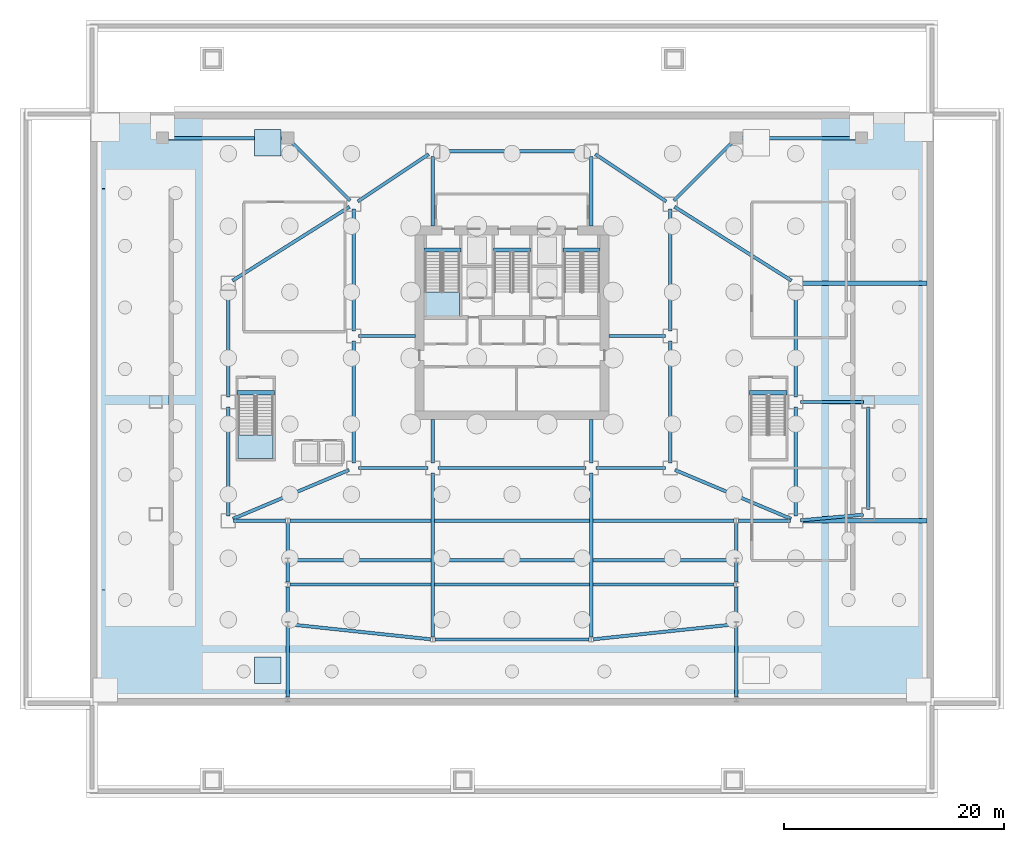
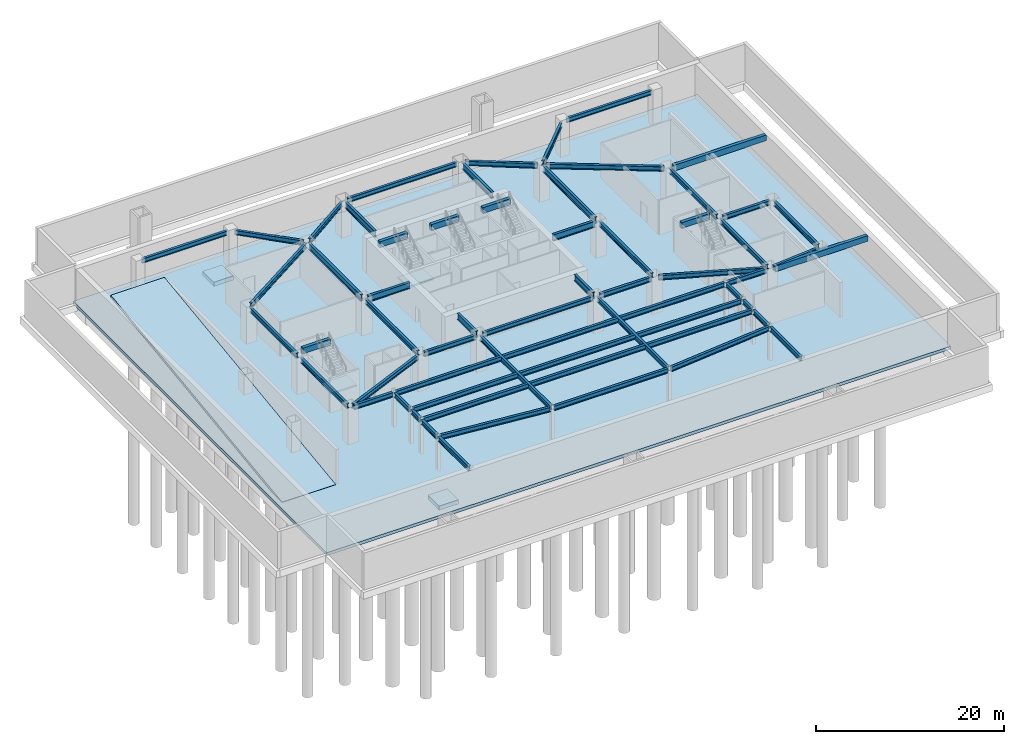
# One storey, part 5 of 15: 56 beams, 6 slabs, 2 elements without a shape of their own.
"""IFC4 building model written with IfcOpenShell, lengths in metres."""

from ifc_helpers import new_model, si_unit, direction, frame, origin, origin_2d, place, context, subcontext, project, spatial, polyline, rectangle, i_section, outline, extrude, material, layer, layer_set, material_profile, profile_set, type_object, element, aggregate, save


model = new_model("IFC4")

# Units and contexts
model_context = context("Model", 3, precision=1e-05, world=origin(), true_north=direction((0.0, 1.0)))
body_context = subcontext(model_context, "Body", "Model", "MODEL_VIEW")
ifc_project = project(units=[si_unit("LENGTHUNIT", "METRE"), si_unit("AREAUNIT", "SQUARE_METRE"), si_unit("VOLUMEUNIT", "CUBIC_METRE"), si_unit("PLANEANGLEUNIT", "RADIAN"), si_unit("MASSUNIT", "GRAM", prefix="KILO")], contexts=[model_context])

# Site, building, storey
site_placement = place(None, origin())
site = spatial("IfcSite", under=ifc_project, at=site_placement, CompositionType="ELEMENT")
building_placement = place(site_placement, origin())
building = spatial("IfcBuilding", under=site, at=building_placement, Name="Haolan Belvedere Tower", CompositionType="ELEMENT")
storey_placement = place(building_placement, frame((0.0, 0.0, -9.60009765625)))
storey = spatial("IfcBuildingStorey", under=building, at=storey_placement, Name="B2", CompositionType="ELEMENT", Elevation=-9.60009765625)

# Beams
ifc_material_1 = material(Name="Steel Q355B", Category="steel")
ifc_material_profile_1 = material_profile(ifc_material_1, i_section(OverallWidth=0.300048828125, OverallDepth=0.587890625, WebThickness=0.011962890625, FlangeThickness=0.02001953125, FilletRadius=0.028076171875, at=origin_2d()), Name="Steel Q355B")
ifc_profile_set_1 = profile_set([ifc_material_profile_1], Name="Steel Q355B")
beam_type_1 = type_object("IfcBeamType", Name="BM-HM588x300x12x20", PredefinedType="SPANDREL", material=ifc_profile_set_1)
for number, where, z_axis, x_axis, name in (
    (1, (24.0, 22.050048828125, 4.22607421875), (0.0, 1.0, 0.0), (-1.0, 0.0, 0.0), "B2 spandrel girder MC-T3-SW-MC-T3-MW"),
    (2, (52.800048828125, 22.050048828125, 4.22607421875), (0.0, 1.0, 0.0), (-1.0, 0.0, 0.0), "B2 spandrel girder MC-T3-SE-MC-T3-ME"),
):
    element("IfcBeam", number, at=place(storey_placement, frame(where, z_axis=z_axis, x_axis=x_axis)), inside=storey, type_object=beam_type_1, Name=name, PredefinedType="SPANDREL", context=body_context, shape_type="SweptSolid", body=[
        extrude(i_section(OverallWidth=0.300048828125, OverallDepth=0.587890625, WebThickness=0.011962890625, FlangeThickness=0.02001953125, FilletRadius=0.028076171875, at=origin_2d()), origin(), (0.0, 0.0, 1.0), 11.099853515625),
    ])
for number, where, z_axis, x_axis, name in (
    (3, (24.449951171875, 21.60009765625, 4.22607421875), (1.0, 0.0, 0.0), (0.0, 1.0, 0.0), "B2 spandrel girder MC-T3-SW-MC-T3-S1"),
    (4, (46.050048828125, 21.60009765625, 4.22607421875), (1.0, 0.0, 0.0), (0.0, 1.0, 0.0), "B2 spandrel girder MC-T3-S2-MC-T3-SE"),
):
    element("IfcBeam", number, at=place(storey_placement, frame(where, z_axis=z_axis, x_axis=x_axis)), inside=storey, type_object=beam_type_1, Name=name, PredefinedType="SPANDREL", context=body_context, shape_type="SweptSolid", body=[
        extrude(i_section(OverallWidth=0.300048828125, OverallDepth=0.587890625, WebThickness=0.011962890625, FlangeThickness=0.02001953125, FilletRadius=0.028076171875, at=origin_2d()), origin(), (0.0, 0.0, 1.0), 6.300048828125),
    ])
beam_1_placement = place(storey_placement, frame((31.64990234375, 21.60009765625, 4.22607421875), z_axis=(1.0, 0.0, 0.0), x_axis=(0.0, 1.0, 0.0)))
element("IfcBeam", 5, at=beam_1_placement, inside=storey, type_object=beam_type_1, Name="B2 spandrel girder MC-T3-S1-MC-T3-S2", PredefinedType="SPANDREL", context=body_context, shape_type="SweptSolid", body=[
    extrude(i_section(OverallWidth=0.300048828125, OverallDepth=0.587890625, WebThickness=0.011962890625, FlangeThickness=0.02001953125, FilletRadius=0.028076171875, at=origin_2d()), origin(), (0.0, 0.0, 1.0), 13.5),
])
for number, where, z_axis, x_axis, name in (
    (6, (24.37451171875, 45.849609375, 4.22607421875), (0.832050294338, 0.554700196225, 0.0), (-0.554700196225, 0.832050294338, 0.0), "B2 spandrel girder MC-T3-NW-MC-T3-N1"),
    (7, (45.974365234375, 50.150390625, 4.22607421875), (0.832050294338, -0.554700196225, 0.0), (0.554700196225, 0.832050294338, 0.0), "B2 spandrel girder MC-T3-N2-MC-T3-NE"),
):
    element("IfcBeam", number, at=place(storey_placement, frame(where, z_axis=z_axis, x_axis=x_axis)), inside=storey, type_object=beam_type_1, Name=name, PredefinedType="SPANDREL", context=body_context, shape_type="SweptSolid", body=[
        extrude(i_section(OverallWidth=0.300048828125, OverallDepth=0.587890625, WebThickness=0.011962890625, FlangeThickness=0.02001953125, FilletRadius=0.028076171875, at=origin_2d()), origin(), (0.0, 0.0, 1.0), 7.75341796875),
    ])
beam_2_placement = place(storey_placement, frame((31.64990234375, 50.39990234375, 4.22607421875), z_axis=(1.0, 0.0, 0.0), x_axis=(0.0, 1.0, 0.0)))
element("IfcBeam", 8, at=beam_2_placement, inside=storey, type_object=beam_type_1, Name="B2 spandrel girder MC-T3-N1-MC-T3-N2", PredefinedType="SPANDREL", context=body_context, shape_type="SweptSolid", body=[
    extrude(i_section(OverallWidth=0.300048828125, OverallDepth=0.587890625, WebThickness=0.011962890625, FlangeThickness=0.02001953125, FilletRadius=0.028076171875, at=origin_2d()), origin(), (0.0, 0.0, 1.0), 13.5),
])
for number, where, z_axis, x_axis, name in (
    (9, (12.60009765625, 17.25, 4.22607421875), (0.0, 1.0, 0.0), (-1.0, 0.0, 0.0), "B2 spandrel girder MC-T2-SW-MC-T2-MW"),
    (10, (12.60009765625, 28.050048828125, 4.22607421875), (0.0, 1.0, 0.0), (-1.0, 0.0, 0.0), "B2 spandrel girder MC-T2-MW-MC-T2-NW"),
):
    element("IfcBeam", number, at=place(storey_placement, frame(where, z_axis=z_axis, x_axis=x_axis)), inside=storey, type_object=beam_type_1, Name=name, PredefinedType="SPANDREL", context=body_context, shape_type="SweptSolid", body=[
        extrude(i_section(OverallWidth=0.300048828125, OverallDepth=0.587890625, WebThickness=0.011962890625, FlangeThickness=0.02001953125, FilletRadius=0.028076171875, at=origin_2d()), origin(), (0.0, 0.0, 1.0), 9.89990234375),
    ])
beam_3_placement = place(storey_placement, frame((13.0146484375, 16.974609375, 4.22607421875), z_axis=(0.921637779233, 0.388051290284, 0.0), x_axis=(-0.388051290284, 0.921637779233, 0.0)))
element("IfcBeam", 11, at=beam_3_placement, inside=storey, type_object=beam_type_1, Name="B2 spandrel girder MC-T2-SW-MC-T3-SW", PredefinedType="SPANDREL", context=body_context, shape_type="SweptSolid", body=[
    extrude(i_section(OverallWidth=0.300048828125, OverallDepth=0.587890625, WebThickness=0.011962890625, FlangeThickness=0.02001953125, FilletRadius=0.028076171875, at=origin_2d()), origin(), (0.0, 0.0, 1.0), 11.46923828125),
])
beam_4_placement = place(storey_placement, frame((12.98046875, 38.640380859375, 4.22607421875), z_axis=(0.845497201575, 0.5339798518, 0.0), x_axis=(-0.5339798518, 0.845497201575, 0.0)))
element("IfcBeam", 12, at=beam_4_placement, inside=storey, type_object=beam_type_1, Name="B2 spandrel girder MC-T2-NW-MC-T3-NW", PredefinedType="SPANDREL", context=body_context, shape_type="SweptSolid", body=[
    extrude(i_section(OverallWidth=0.300048828125, OverallDepth=0.587890625, WebThickness=0.011962890625, FlangeThickness=0.02001953125, FilletRadius=0.028076171875, at=origin_2d()), origin(), (0.0, 0.0, 1.0), 12.583251953125),
])
for number, where, z_axis, x_axis, name in (
    (13, (64.199951171875, 17.25, 4.22607421875), (0.0, 1.0, 0.0), (-1.0, 0.0, 0.0), "B2 spandrel girder MC-T4-SE-MC-T4-ME"),
    (14, (64.199951171875, 28.050048828125, 4.22607421875), (0.0, 1.0, 0.0), (-1.0, 0.0, 0.0), "B2 spandrel girder MC-T4-ME-MC-T4-NE"),
):
    element("IfcBeam", number, at=place(storey_placement, frame(where, z_axis=z_axis, x_axis=x_axis)), inside=storey, type_object=beam_type_1, Name=name, PredefinedType="SPANDREL", context=body_context, shape_type="SweptSolid", body=[
        extrude(i_section(OverallWidth=0.300048828125, OverallDepth=0.587890625, WebThickness=0.011962890625, FlangeThickness=0.02001953125, FilletRadius=0.028076171875, at=origin_2d()), origin(), (0.0, 0.0, 1.0), 9.89990234375),
    ])
beam_5_placement = place(storey_placement, frame((53.21484375, 21.42529296875, 4.22607421875), z_axis=(0.92163457375, -0.38805890335, 0.0), x_axis=(0.38805890335, 0.92163457375, 0.0)))
element("IfcBeam", 15, at=beam_5_placement, inside=storey, type_object=beam_type_1, Name="B2 spandrel girder MC-T3-SE-MC-T4-SE", PredefinedType="SPANDREL", context=body_context, shape_type="SweptSolid", body=[
    extrude(i_section(OverallWidth=0.300048828125, OverallDepth=0.587890625, WebThickness=0.011962890625, FlangeThickness=0.02001953125, FilletRadius=0.028076171875, at=origin_2d()), origin(), (0.0, 0.0, 1.0), 11.468994140625),
])
beam_6_placement = place(storey_placement, frame((53.180419921875, 45.359619140625, 4.22607421875), z_axis=(0.845497201575, -0.5339798518, 0.0), x_axis=(0.5339798518, 0.845497201575, 0.0)))
element("IfcBeam", 16, at=beam_6_placement, inside=storey, type_object=beam_type_1, Name="B2 spandrel girder MC-T3-NE-MC-T4-NE", PredefinedType="SPANDREL", context=body_context, shape_type="SweptSolid", body=[
    extrude(i_section(OverallWidth=0.300048828125, OverallDepth=0.587890625, WebThickness=0.011962890625, FlangeThickness=0.02001953125, FilletRadius=0.028076171875, at=origin_2d()), origin(), (0.0, 0.0, 1.0), 12.583251953125),
])
beam_7_placement = place(storey_placement, frame((70.800048828125, 17.85009765625, 4.22607421875), z_axis=(0.0, 1.0, 0.0), x_axis=(-1.0, 0.0, 0.0)))
element("IfcBeam", 17, at=beam_7_placement, inside=storey, type_object=beam_type_1, Name="B2 spandrel girder MC-T5-SE-MC-T5-NE", PredefinedType="SPANDREL", context=body_context, shape_type="SweptSolid", body=[
    extrude(i_section(OverallWidth=0.300048828125, OverallDepth=0.587890625, WebThickness=0.011962890625, FlangeThickness=0.02001953125, FilletRadius=0.028076171875, at=origin_2d()), origin(), (0.0, 0.0, 1.0), 9.2998046875),
])
beam_8_placement = place(storey_placement, frame((64.648193359375, 16.8408203125, 4.22607421875), z_axis=(0.995892507606, 0.090543433189, 0.0), x_axis=(-0.090543433189, 0.995892507606, 0.0)))
element("IfcBeam", 18, at=beam_8_placement, inside=storey, type_object=beam_type_1, Name="B2 spandrel girder MC-T4-SE-MC-T5-SE", PredefinedType="SPANDREL", context=body_context, shape_type="SweptSolid", body=[
    extrude(i_section(OverallWidth=0.300048828125, OverallDepth=0.587890625, WebThickness=0.011962890625, FlangeThickness=0.02001953125, FilletRadius=0.028076171875, at=origin_2d()), origin(), (0.0, 0.0, 1.0), 5.72705078125),
])
beam_9_placement = place(storey_placement, frame((64.64990234375, 27.60009765625, 4.22607421875), z_axis=(1.0, 0.0, 0.0), x_axis=(0.0, 1.0, 0.0)))
element("IfcBeam", 19, at=beam_9_placement, inside=storey, type_object=beam_type_1, Name="B2 spandrel girder MC-T4-ME-MC-T5-NE", PredefinedType="SPANDREL", context=body_context, shape_type="SweptSolid", body=[
    extrude(i_section(OverallWidth=0.300048828125, OverallDepth=0.587890625, WebThickness=0.011962890625, FlangeThickness=0.02001953125, FilletRadius=0.028076171875, at=origin_2d()), origin(), (0.0, 0.0, 1.0), 5.7001953125),
])
beam_10_placement = place(storey_placement, frame((7.050048828125, 51.60009765625, 4.22607421875), z_axis=(1.0, 0.0, 0.0), x_axis=(0.0, 1.0, 0.0)))
element("IfcBeam", 20, at=beam_10_placement, inside=storey, type_object=beam_type_1, Name="B2 spandrel girder PC-NW-1-PC-NW-2", PredefinedType="SPANDREL", context=body_context, shape_type="SweptSolid", body=[
    extrude(i_section(OverallWidth=0.300048828125, OverallDepth=0.587890625, WebThickness=0.011962890625, FlangeThickness=0.02001953125, FilletRadius=0.028076171875, at=origin_2d()), origin(), (0.0, 0.0, 1.0), 10.5),
])
beam_11_placement = place(storey_placement, frame((18.318115234375, 51.28173828125, 4.22607421875), z_axis=(0.707122873923, -0.707090688084, 0.0), x_axis=(0.707090688084, 0.707122873923, 0.0)))
element("IfcBeam", 21, at=beam_11_placement, inside=storey, type_object=beam_type_1, Name="B2 spandrel girder PC-NW-2-MC-T3-NW", PredefinedType="SPANDREL", context=body_context, shape_type="SweptSolid", body=[
    extrude(i_section(OverallWidth=0.300048828125, OverallDepth=0.587890625, WebThickness=0.011962890625, FlangeThickness=0.02001953125, FilletRadius=0.028076171875, at=origin_2d()), origin(), (0.0, 0.0, 1.0), 7.58544921875),
])
beam_12_placement = place(storey_placement, frame((53.1181640625, 45.918212890625, 4.22607421875), z_axis=(0.707106781187, 0.707106781187, 0.0), x_axis=(-0.707106781187, 0.707106781187, 0.0)))
element("IfcBeam", 22, at=beam_12_placement, inside=storey, type_object=beam_type_1, Name="B2 spandrel girder MC-T3-NE-PC-NE-1", PredefinedType="SPANDREL", context=body_context, shape_type="SweptSolid", body=[
    extrude(i_section(OverallWidth=0.300048828125, OverallDepth=0.587890625, WebThickness=0.011962890625, FlangeThickness=0.02001953125, FilletRadius=0.028076171875, at=origin_2d()), origin(), (0.0, 0.0, 1.0), 7.585205078125),
])
beam_13_placement = place(storey_placement, frame((59.25, 51.60009765625, 4.22607421875), z_axis=(1.0, 0.0, 0.0), x_axis=(0.0, 1.0, 0.0)))
element("IfcBeam", 23, at=beam_13_placement, inside=storey, type_object=beam_type_1, Name="B2 spandrel girder PC-NE-1-PC-NE-2", PredefinedType="SPANDREL", context=body_context, shape_type="SweptSolid", body=[
    extrude(i_section(OverallWidth=0.300048828125, OverallDepth=0.587890625, WebThickness=0.011962890625, FlangeThickness=0.02001953125, FilletRadius=0.028076171875, at=origin_2d()), origin(), (0.0, 0.0, 1.0), 10.5),
])
for number, where, z_axis, x_axis, name in (
    (24, (18.0, 0.763916015625, 4.22607421875), (0.0, 1.0, 0.0), (-1.0, 0.0, 0.0), "B2 spandrel girder PC-S0-W-PC-SW-1"),
    (25, (58.800048828125, 0.763916015625, 4.22607421875), (0.0, 1.0, 0.0), (-1.0, 0.0, 0.0), "B2 spandrel girder PC-S0-E-PC-SE-1"),
):
    element("IfcBeam", number, at=place(storey_placement, frame(where, z_axis=z_axis, x_axis=x_axis)), inside=storey, type_object=beam_type_1, Name=name, PredefinedType="SPANDREL", context=body_context, shape_type="SweptSolid", body=[
        extrude(i_section(OverallWidth=0.300048828125, OverallDepth=0.587890625, WebThickness=0.011962890625, FlangeThickness=0.02001953125, FilletRadius=0.028076171875, at=origin_2d()), origin(), (0.0, 0.0, 1.0), 6.422119140625),
    ])
beam_14_placement = place(storey_placement, frame((18.212890625, 7.37744140625, 4.22607421875), z_axis=(0.994421618224, -0.105478174091, 0.0), x_axis=(0.105478174091, 0.994421618224, 0.0)))
element("IfcBeam", 26, at=beam_14_placement, inside=storey, type_object=beam_type_1, Name="B2 spandrel girder PC-SW-1-PC-SM-1", PredefinedType="SPANDREL", context=body_context, shape_type="SweptSolid", body=[
    extrude(i_section(OverallWidth=0.300048828125, OverallDepth=0.587890625, WebThickness=0.011962890625, FlangeThickness=0.02001953125, FilletRadius=0.028076171875, at=origin_2d()), origin(), (0.0, 0.0, 1.0), 12.84619140625),
])
beam_15_placement = place(storey_placement, frame((31.4140625, 6.0, 4.22607421875), z_axis=(1.0, 0.0, 0.0), x_axis=(0.0, 1.0, 0.0)))
element("IfcBeam", 27, at=beam_15_placement, inside=storey, type_object=beam_type_1, Name="B2 spandrel girder PC-SM-1-PC-SM-2", PredefinedType="SPANDREL", context=body_context, shape_type="SweptSolid", body=[
    extrude(i_section(OverallWidth=0.300048828125, OverallDepth=0.587890625, WebThickness=0.011962890625, FlangeThickness=0.02001953125, FilletRadius=0.028076171875, at=origin_2d()), origin(), (0.0, 0.0, 1.0), 13.971923828125),
])
beam_16_placement = place(storey_placement, frame((45.812744140625, 6.0224609375, 4.22607421875), z_axis=(0.994421618224, 0.105478174091, 0.0), x_axis=(-0.105478174091, 0.994421618224, 0.0)))
element("IfcBeam", 28, at=beam_16_placement, inside=storey, type_object=beam_type_1, Name="B2 spandrel girder PC-SM-2-PC-SE-1", PredefinedType="SPANDREL", context=body_context, shape_type="SweptSolid", body=[
    extrude(i_section(OverallWidth=0.300048828125, OverallDepth=0.587890625, WebThickness=0.011962890625, FlangeThickness=0.02001953125, FilletRadius=0.028076171875, at=origin_2d()), origin(), (0.0, 0.0, 1.0), 12.84619140625),
])
for number, where, z_axis, x_axis, name in (
    (29, (18.0, 7.614013671875, 4.22607421875), (0.0, 1.0, 0.0), (-1.0, 0.0, 0.0), "B2 spandrel girder PC-SW-1-PC-CS2-W"),
    (30, (58.800048828125, 7.614013671875, 4.22607421875), (0.0, 1.0, 0.0), (-1.0, 0.0, 0.0), "B2 spandrel girder PC-SE-1-PC-CS2-E"),
):
    element("IfcBeam", number, at=place(storey_placement, frame(where, z_axis=z_axis, x_axis=x_axis)), inside=storey, type_object=beam_type_1, Name=name, PredefinedType="SPANDREL", context=body_context, shape_type="SweptSolid", body=[
        extrude(i_section(OverallWidth=0.300048828125, OverallDepth=0.587890625, WebThickness=0.011962890625, FlangeThickness=0.02001953125, FilletRadius=0.028076171875, at=origin_2d()), origin(), (0.0, 0.0, 1.0), 3.171875),
    ])
beam_17_placement = place(storey_placement, frame((18.214111328125, 11.0, 4.22607421875), z_axis=(1.0, 0.0, 0.0), x_axis=(0.0, 1.0, 0.0)))
element("IfcBeam", 31, at=beam_17_placement, inside=storey, type_object=beam_type_1, Name="B2 spandrel girder PC-CS2-W-PC-CS2-E", PredefinedType="SPANDREL", context=body_context, shape_type="SweptSolid", body=[
    extrude(i_section(OverallWidth=0.300048828125, OverallDepth=0.587890625, WebThickness=0.011962890625, FlangeThickness=0.02001953125, FilletRadius=0.028076171875, at=origin_2d()), origin(), (0.0, 0.0, 1.0), 40.371826171875),
])
for number, where, z_axis, x_axis, name in (
    (32, (18.0, 11.214111328125, 4.22607421875), (0.0, 1.0, 0.0), (-1.0, 0.0, 0.0), "B2 spandrel girder PC-CS2-W-PC-CS3-W"),
    (33, (58.800048828125, 11.214111328125, 4.22607421875), (0.0, 1.0, 0.0), (-1.0, 0.0, 0.0), "B2 spandrel girder PC-CS2-E-PC-CS3-E"),
):
    element("IfcBeam", number, at=place(storey_placement, frame(where, z_axis=z_axis, x_axis=x_axis)), inside=storey, type_object=beam_type_1, Name=name, PredefinedType="SPANDREL", context=body_context, shape_type="SweptSolid", body=[
        extrude(i_section(OverallWidth=0.300048828125, OverallDepth=0.587890625, WebThickness=0.011962890625, FlangeThickness=0.02001953125, FilletRadius=0.028076171875, at=origin_2d()), origin(), (0.0, 0.0, 1.0), 1.77197265625),
    ])
beam_18_placement = place(storey_placement, frame((18.214111328125, 13.199951171875, 4.22607421875), z_axis=(1.0, 0.0, 0.0), x_axis=(0.0, 1.0, 0.0)))
element("IfcBeam", 34, at=beam_18_placement, inside=storey, type_object=beam_type_1, Name="B2 spandrel girder PC-CS3-W-PC-CS3-E", PredefinedType="SPANDREL", context=body_context, shape_type="SweptSolid", body=[
    extrude(i_section(OverallWidth=0.300048828125, OverallDepth=0.587890625, WebThickness=0.011962890625, FlangeThickness=0.02001953125, FilletRadius=0.028076171875, at=origin_2d()), origin(), (0.0, 0.0, 1.0), 40.371826171875),
])
for number, where, z_axis, x_axis, name in (
    (35, (18.0, 13.4140625, 4.22607421875), (0.0, 1.0, 0.0), (-1.0, 0.0, 0.0), "B2 spandrel girder PC-CS3-W-PC-CS4-W"),
    (36, (58.800048828125, 13.4140625, 4.22607421875), (0.0, 1.0, 0.0), (-1.0, 0.0, 0.0), "B2 spandrel girder PC-CS3-E-PC-CS4-E"),
):
    element("IfcBeam", number, at=place(storey_placement, frame(where, z_axis=z_axis, x_axis=x_axis)), inside=storey, type_object=beam_type_1, Name=name, PredefinedType="SPANDREL", context=body_context, shape_type="SweptSolid", body=[
        extrude(i_section(OverallWidth=0.300048828125, OverallDepth=0.587890625, WebThickness=0.011962890625, FlangeThickness=0.02001953125, FilletRadius=0.028076171875, at=origin_2d()), origin(), (0.0, 0.0, 1.0), 3.171875),
    ])
beam_19_placement = place(storey_placement, frame((18.214111328125, 16.800048828125, 4.22607421875), z_axis=(1.0, 0.0, 0.0), x_axis=(0.0, 1.0, 0.0)))
element("IfcBeam", 37, at=beam_19_placement, inside=storey, type_object=beam_type_1, Name="B2 spandrel girder PC-CS4-W-PC-CS4-E", PredefinedType="SPANDREL", context=body_context, shape_type="SweptSolid", body=[
    extrude(i_section(OverallWidth=0.300048828125, OverallDepth=0.587890625, WebThickness=0.011962890625, FlangeThickness=0.02001953125, FilletRadius=0.028076171875, at=origin_2d()), origin(), (0.0, 0.0, 1.0), 40.371826171875),
])
beam_20_placement = place(storey_placement, frame((17.785888671875, 16.800048828125, 4.22607421875), z_axis=(-1.0, 0.0, 0.0), x_axis=(0.0, -1.0, 0.0)))
element("IfcBeam", 38, at=beam_20_placement, inside=storey, type_object=beam_type_1, Name="B2 spandrel girder PC-CS4-W-MC-T2-SW", PredefinedType="SPANDREL", context=body_context, shape_type="SweptSolid", body=[
    extrude(i_section(OverallWidth=0.300048828125, OverallDepth=0.587890625, WebThickness=0.011962890625, FlangeThickness=0.02001953125, FilletRadius=0.028076171875, at=origin_2d()), origin(), (0.0, 0.0, 1.0), 4.73583984375),
])
beam_21_placement = place(storey_placement, frame((59.013916015625, 16.800048828125, 4.22607421875), z_axis=(1.0, 0.0, 0.0), x_axis=(0.0, 1.0, 0.0)))
element("IfcBeam", 39, at=beam_21_placement, inside=storey, type_object=beam_type_1, Name="B2 spandrel girder PC-CS4-E-MC-T4-SE", PredefinedType="SPANDREL", context=body_context, shape_type="SweptSolid", body=[
    extrude(i_section(OverallWidth=0.300048828125, OverallDepth=0.587890625, WebThickness=0.011962890625, FlangeThickness=0.02001953125, FilletRadius=0.028076171875, at=origin_2d()), origin(), (0.0, 0.0, 1.0), 4.736083984375),
])
for number, where, z_axis, x_axis, name in (
    (40, (31.199951171875, 6.214111328125, 4.22607421875), (0.0, 1.0, 0.0), (-1.0, 0.0, 0.0), "B2 spandrel girder PC-SM-1-MC-T3-S1"),
    (41, (45.60009765625, 6.214111328125, 4.22607421875), (0.0, 1.0, 0.0), (-1.0, 0.0, 0.0), "B2 spandrel girder PC-SM-2-MC-T3-S2"),
):
    element("IfcBeam", number, at=place(storey_placement, frame(where, z_axis=z_axis, x_axis=x_axis)), inside=storey, type_object=beam_type_1, Name=name, PredefinedType="SPANDREL", context=body_context, shape_type="SweptSolid", body=[
        extrude(i_section(OverallWidth=0.300048828125, OverallDepth=0.587890625, WebThickness=0.011962890625, FlangeThickness=0.02001953125, FilletRadius=0.028076171875, at=origin_2d()), origin(), (0.0, 0.0, 1.0), 14.935791015625),
    ])
ifc_material_profile_2 = material_profile(ifc_material_1, i_section(OverallWidth=0.300048828125, OverallDepth=0.800048828125, WebThickness=0.013916015625, FlangeThickness=0.02587890625, FilletRadius=0.028076171875, at=origin_2d()), Name="Steel Q355B")
ifc_profile_set_2 = profile_set([ifc_material_profile_2], Name="Steel Q355B")
beam_type_2 = type_object("IfcBeamType", Name="BM-HN800x300x14x26", PredefinedType="BEAM", material=ifc_profile_set_2)
for number, where, z_axis, x_axis, name in (
    (42, (24.0, 34.050048828125, 4.1201171875), (0.0, 1.0, 0.0), (-1.0, 0.0, 0.0), "B2 primary girder MC-T3-MW-MC-T3-NW"),
    (43, (52.800048828125, 34.050048828125, 4.1201171875), (0.0, 1.0, 0.0), (-1.0, 0.0, 0.0), "B2 primary girder MC-T3-ME-MC-T3-NE"),
):
    element("IfcBeam", number, at=place(storey_placement, frame(where, z_axis=z_axis, x_axis=x_axis)), inside=storey, type_object=beam_type_2, Name=name, PredefinedType="BEAM", context=body_context, shape_type="SweptSolid", body=[
        extrude(i_section(OverallWidth=0.300048828125, OverallDepth=0.800048828125, WebThickness=0.013916015625, FlangeThickness=0.02587890625, FilletRadius=0.028076171875, at=origin_2d()), origin(), (0.0, 0.0, 1.0), 11.099853515625),
    ])
for number, where, z_axis, x_axis, name in (
    (44, (24.449951171875, 33.60009765625, 4.1201171875), (1.0, 0.0, 0.0), (0.0, 1.0, 0.0), "B2 core tie beam from MC-T3-MW"),
    (45, (52.35009765625, 33.60009765625, 4.1201171875), (-1.0, 0.0, 0.0), (0.0, -1.0, 0.0), "B2 core tie beam from MC-T3-ME"),
):
    element("IfcBeam", number, at=place(storey_placement, frame(where, z_axis=z_axis, x_axis=x_axis)), inside=storey, type_object=beam_type_2, Name=name, PredefinedType="BEAM", context=body_context, shape_type="SweptSolid", body=[
        extrude(i_section(OverallWidth=0.300048828125, OverallDepth=0.800048828125, WebThickness=0.013916015625, FlangeThickness=0.02587890625, FilletRadius=0.028076171875, at=origin_2d()), origin(), (0.0, 0.0, 1.0), 5.150146484375),
    ])
for number, where, z_axis, x_axis, name in (
    (46, (31.199951171875, 22.050048828125, 4.1201171875), (0.0, 1.0, 0.0), (-1.0, 0.0, 0.0), "B2 core tie beam from MC-T3-S1"),
    (47, (45.60009765625, 22.050048828125, 4.1201171875), (0.0, 1.0, 0.0), (-1.0, 0.0, 0.0), "B2 core tie beam from MC-T3-S2"),
):
    element("IfcBeam", number, at=place(storey_placement, frame(where, z_axis=z_axis, x_axis=x_axis)), inside=storey, type_object=beam_type_2, Name=name, PredefinedType="BEAM", context=body_context, shape_type="SweptSolid", body=[
        extrude(i_section(OverallWidth=0.300048828125, OverallDepth=0.800048828125, WebThickness=0.013916015625, FlangeThickness=0.02587890625, FilletRadius=0.028076171875, at=origin_2d()), origin(), (0.0, 0.0, 1.0), 3.949951171875),
    ])
for number, where, z_axis, x_axis, name in (
    (48, (31.199951171875, 49.949951171875, 4.1201171875), (0.0, -1.0, 0.0), (1.0, 0.0, 0.0), "B2 core tie beam from MC-T3-N1"),
    (49, (45.60009765625, 49.949951171875, 4.1201171875), (0.0, -1.0, 0.0), (1.0, 0.0, 0.0), "B2 core tie beam from MC-T3-N2"),
):
    element("IfcBeam", number, at=place(storey_placement, frame(where, z_axis=z_axis, x_axis=x_axis)), inside=storey, type_object=beam_type_2, Name=name, PredefinedType="BEAM", context=body_context, shape_type="SweptSolid", body=[
        extrude(i_section(OverallWidth=0.300048828125, OverallDepth=0.800048828125, WebThickness=0.013916015625, FlangeThickness=0.02587890625, FilletRadius=0.028076171875, at=origin_2d()), origin(), (0.0, 0.0, 1.0), 6.349853515625),
    ])
ifc_material_2 = material(Name="Concrete C50/60", Category="concrete")
ifc_material_profile_3 = material_profile(ifc_material_2, rectangle(XDim=0.39990234375, YDim=0.75, at=origin_2d()), Name="Concrete C50/60")
ifc_profile_set_3 = profile_set([ifc_material_profile_3], Name="Concrete C50/60")
beam_type_3 = type_object("IfcBeamType", Name="BM-RC400x750", PredefinedType="T_BEAM", material=ifc_profile_set_3)
for number, where, z_axis, x_axis, name in (
    (50, (64.800048828125, 16.800048828125, 4.14501953125), (1.0, 0.0, 0.0), (0.0, 1.0, 0.0), "B2 basement RC tie beam TB-01-3"),
    (51, (64.800048828125, 38.39990234375, 4.14501953125), (1.0, 0.0, 0.0), (0.0, 1.0, 0.0), "B2 basement RC tie beam TB-01-4"),
):
    element("IfcBeam", number, at=place(storey_placement, frame(where, z_axis=z_axis, x_axis=x_axis)), inside=storey, type_object=beam_type_3, Name=name, PredefinedType="T_BEAM", context=body_context, shape_type="SweptSolid", body=[
        extrude(rectangle(XDim=0.39990234375, YDim=0.75, at=origin_2d()), origin(), (0.0, 0.0, 1.0), 11.349853515625),
    ])
beam_22_placement = place(storey_placement, frame((30.3798828125, 41.429931640625, 4.425048828125), z_axis=(1.0, 0.0, 0.0), x_axis=(0.0, 1.0, 0.0)))
element("IfcBeam", 52, at=beam_22_placement, inside=storey, type_object=beam_type_3, Name="B1 stair ST1 RC header trimmer beam", PredefinedType="BEAM", context=body_context, shape_type="SweptSolid", body=[
    extrude(rectangle(XDim=0.39990234375, YDim=0.75, at=origin_2d()), origin(), (0.0, 0.0, 1.0), 3.360107421875),
])
beam_23_placement = place(storey_placement, frame((36.699951171875, 41.429931640625, 4.425048828125), z_axis=(1.0, 0.0, 0.0), x_axis=(0.0, 1.0, 0.0)))
element("IfcBeam", 53, at=beam_23_placement, inside=storey, type_object=beam_type_3, Name="B1 stair ST3 RC header trimmer beam", PredefinedType="BEAM", context=body_context, shape_type="SweptSolid", body=[
    extrude(rectangle(XDim=0.39990234375, YDim=0.75, at=origin_2d()), origin(), (0.0, 0.0, 1.0), 3.400146484375),
])
beam_24_placement = place(storey_placement, frame((43.06005859375, 41.429931640625, 4.425048828125), z_axis=(1.0, 0.0, 0.0), x_axis=(0.0, 1.0, 0.0)))
element("IfcBeam", 54, at=beam_24_placement, inside=storey, type_object=beam_type_3, Name="B1 stair ST2 RC header trimmer beam", PredefinedType="BEAM", context=body_context, shape_type="SweptSolid", body=[
    extrude(rectangle(XDim=0.39990234375, YDim=0.75, at=origin_2d()), origin(), (0.0, 0.0, 1.0), 3.35986328125),
])
beam_25_placement = place(storey_placement, frame((13.389892578125, 28.429931640625, 4.425048828125), z_axis=(1.0, 0.0, 0.0), x_axis=(0.0, 1.0, 0.0)))
element("IfcBeam", 55, at=beam_25_placement, inside=storey, type_object=beam_type_3, Name="B1 podium stair ST4 RC header trimmer beam", PredefinedType="BEAM", context=body_context, shape_type="SweptSolid", body=[
    extrude(rectangle(XDim=0.39990234375, YDim=0.75, at=origin_2d()), origin(), (0.0, 0.0, 1.0), 3.400146484375),
])
beam_26_placement = place(storey_placement, frame((60.010009765625, 28.429931640625, 4.425048828125), z_axis=(1.0, 0.0, 0.0), x_axis=(0.0, 1.0, 0.0)))
element("IfcBeam", 56, at=beam_26_placement, inside=storey, type_object=beam_type_3, Name="B1 podium stair ST5 RC header trimmer beam", PredefinedType="BEAM", context=body_context, shape_type="SweptSolid", body=[
    extrude(rectangle(XDim=0.39990234375, YDim=0.75, at=origin_2d()), origin(), (0.0, 0.0, 1.0), 3.39990234375),
])

# Slab
ifc_layer_1 = layer(ifc_material_2, 0.39990234375, Name="Concrete C50/60")
ifc_layer_set_1 = layer_set([ifc_layer_1], Name="Concrete C50/60")
slab_type_1 = type_object("IfcSlabType", Name="SL-BASE-400", PredefinedType="BASESLAB", material=ifc_layer_set_1)
slab_1_placement = place(storey_placement, frame((0.0, 0.0, -0.39990234375)))
element("IfcSlab", 57, at=slab_1_placement, inside=storey, type_object=slab_type_1, Name="B2 structural base slab", PredefinedType="BASESLAB", context=body_context, shape_type="SweptSolid", body=[
    extrude(outline(polyline([(0.0, 0.0), (76.800048828125, 0.0), (76.800048828125, 54.0), (0.0, 54.0), (0.0, 0.0)]), holes=[polyline([(0.6201171875, 10.47998046875), (7.179931640625, 10.47998046875), (7.179931640625, 12.89990234375), (0.6201171875, 12.89990234375), (0.6201171875, 10.47998046875)])]), origin(), (0.0, 0.0, 1.0), 0.39990234375),
])

# Stair, slab
ifc_material_3 = material(Name="Concrete C40/50", Category="concrete")
stair_type = type_object("IfcStairType", Name="STR-DL-28R-171", PredefinedType="HALF_TURN_STAIR", material=ifc_material_3)
stair_1_placement = place(storey_placement, origin())
stair_1 = element("IfcStair", 58, at=stair_1_placement, inside=storey, type_object=stair_type, Name="B2 Smokeproof Core Exit Stair ST1", PredefinedType="HALF_TURN_STAIR")
ifc_layer_2 = layer(ifc_material_3, 0.199951171875, Name="Concrete C40/50")
ifc_layer_set_2 = layer_set([ifc_layer_2], Name="Concrete C40/50")
slab_type_2 = type_object("IfcSlabType", Name="SL-LAND-200", PredefinedType="LANDING", material=ifc_layer_set_2)
slab_2_placement = place(storey_placement, frame((0.0, 0.0, 2.2001953125)))
slab_2 = element("IfcSlab", 59, at=slab_2_placement, type_object=slab_type_2, Name="ST1 landing 1", PredefinedType="LANDING", context=body_context, shape_type="SweptSolid", body=[
    extrude(outline(polyline([(30.449951171875, 37.590087890625), (30.449951171875, 35.449951171875), (33.6298828125, 35.449951171875), (33.6298828125, 37.590087890625), (30.449951171875, 37.590087890625)])), origin(), (0.0, 0.0, 1.0), 0.199951171875),
])
aggregate(stair_1, [slab_2])

stair_2_placement = place(storey_placement, origin())
stair_2 = element("IfcStair", 60, at=stair_2_placement, inside=storey, type_object=stair_type, Name="B2 West Podium Protected Exit Stair ST4", PredefinedType="HALF_TURN_STAIR")
slab_3_placement = place(storey_placement, frame((0.0, 0.0, 2.2001953125)))
slab_3 = element("IfcSlab", 61, at=slab_3_placement, type_object=slab_type_2, Name="ST4 landing 1", PredefinedType="LANDING", context=body_context, shape_type="SweptSolid", body=[
    extrude(outline(polyline([(13.5, 24.590087890625), (13.5, 22.449951171875), (16.679931640625, 22.449951171875), (16.679931640625, 24.590087890625), (13.5, 24.590087890625)])), origin(), (0.0, 0.0, 1.0), 0.199951171875),
])
aggregate(stair_2, [slab_3])

# Slabs
ifc_layer_3 = layer(ifc_material_3, 0.300048828125, Name="Concrete C40/50")
ifc_layer_set_3 = layer_set([ifc_layer_3], Name="Concrete C40/50")
slab_type_3 = type_object("IfcSlabType", Name="SL-RAMP-300", PredefinedType="FLOOR", material=ifc_layer_set_3)
slab_4_placement = place(storey_placement, frame((0.60009765625, 10.5, 0.0), z_axis=(0.0, -0.13038554996, 0.99146336713), x_axis=(1.0, 0.0, 0.0)))
element("IfcSlab", 62, at=slab_4_placement, inside=storey, type_object=slab_type_3, Name="B2 to B1 vehicle ramp structural slab VR-01", PredefinedType="FLOOR", context=body_context, shape_type="SweptSolid", body=[
    extrude(outline(polyline([(0.0, 0.0), (6.599853515625, 0.0), (6.599853515625, 36.81426990655097), (0.0, 36.81426990655097), (0.0, 0.0)])), origin(), (0.0, 0.0, -1.0), 0.300048828125),
])
ifc_layer_4 = layer(ifc_material_2, 0.550048828125, Name="Concrete C50/60")
ifc_layer_set_4 = layer_set([ifc_layer_4], Name="Concrete C50/60")
slab_type_4 = type_object("IfcSlabType", Name="SL-SUMP-550", PredefinedType="BASESLAB", material=ifc_layer_set_4)
slab_5_placement = place(storey_placement, frame((0.0, 0.0, -0.949951171875)))
element("IfcSlab", 63, at=slab_5_placement, inside=storey, type_object=slab_type_4, Name="B2 drainage sump base slab SUMP-B2-1", PredefinedType="BASESLAB", context=body_context, shape_type="SweptSolid", body=[
    extrude(outline(polyline([(15.0, 2.0), (17.39990234375, 2.0), (17.39990234375, 4.39990234375), (15.0, 4.39990234375), (15.0, 2.0)])), origin(), (0.0, 0.0, 1.0), 0.550048828125),
])
slab_6_placement = place(storey_placement, frame((0.0, 0.0, -0.949951171875)))
element("IfcSlab", 64, at=slab_6_placement, inside=storey, type_object=slab_type_4, Name="B2 drainage sump base slab SUMP-B2-3", PredefinedType="BASESLAB", context=body_context, shape_type="SweptSolid", body=[
    extrude(outline(polyline([(15.0, 50.0), (17.39990234375, 50.0), (17.39990234375, 52.39990234375), (15.0, 52.39990234375), (15.0, 50.0)])), origin(), (0.0, 0.0, 1.0), 0.550048828125),
])

save(model, "model.ifc")
